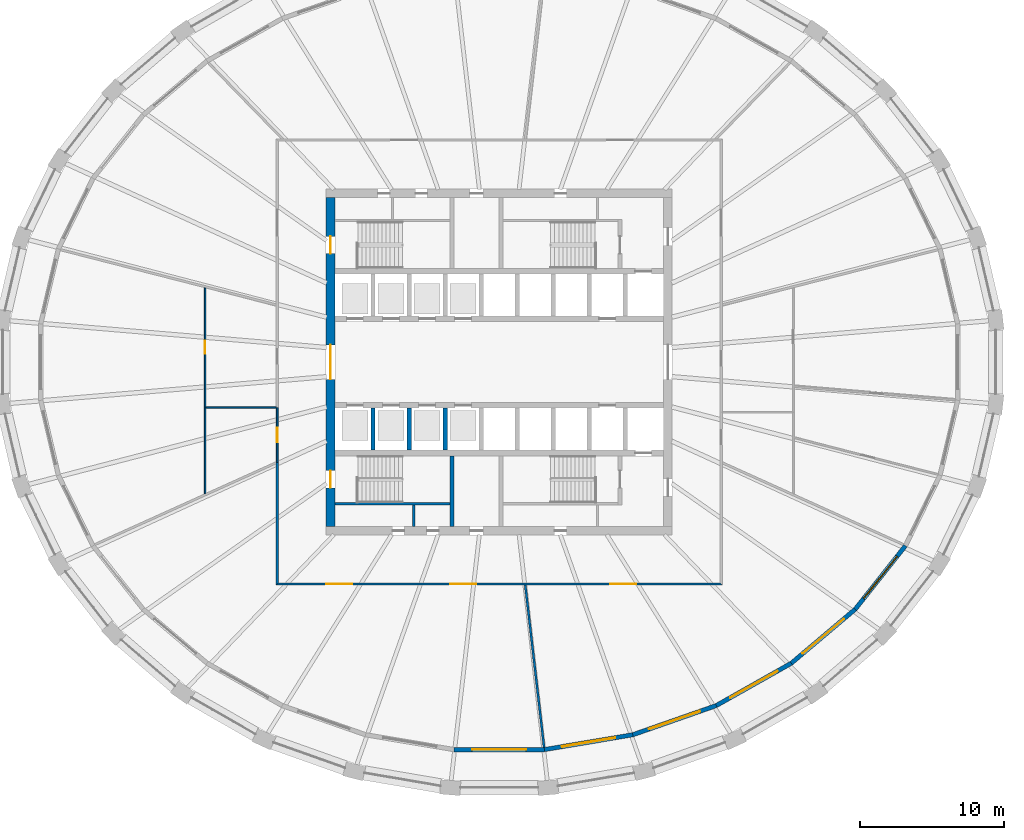
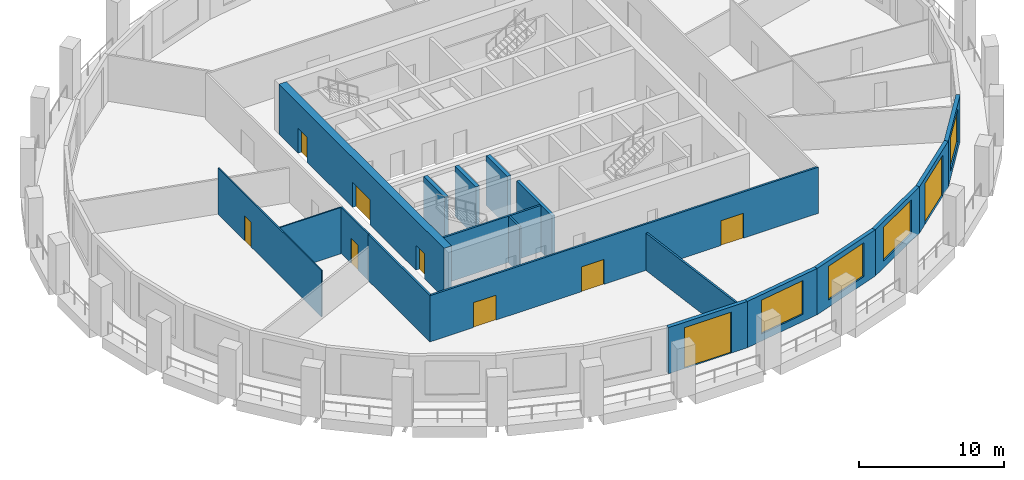
# One storey, part 3 of 10: 19 walls, 10 doors, 4 windows, 14 openings.
"""IFC4 building model written with IfcOpenShell, lengths in metres."""

from ifc_helpers import new_model, si_unit, direction, frame, frame_2d, origin, place, context, subcontext, project, spatial, polyline, rectangle, outline, extrude, material, layer, layer_set, type_object, element, fill, save


model = new_model("IFC4")

# Units and contexts
model_context = context("Model", 3, precision=1e-05, world=origin(), true_north=direction((0.0, 1.0)))
body_context = subcontext(model_context, "Body", "Model", "MODEL_VIEW")
ifc_project = project(units=[si_unit("LENGTHUNIT", "METRE"), si_unit("AREAUNIT", "SQUARE_METRE"), si_unit("VOLUMEUNIT", "CUBIC_METRE"), si_unit("PLANEANGLEUNIT", "RADIAN"), si_unit("MASSUNIT", "GRAM", prefix="KILO")], contexts=[model_context])

# Site, building, storey
site_placement = place(None, origin())
site = spatial("IfcSite", under=ifc_project, at=site_placement, CompositionType="ELEMENT")
building_placement = place(site_placement, origin())
building = spatial("IfcBuilding", under=site, at=building_placement, Name="Halqa Exchange Tower", CompositionType="ELEMENT")
storey_placement = place(building_placement, frame((0.0, 0.0, 129.699951171875)))
storey = spatial("IfcBuildingStorey", under=building, at=storey_placement, Name="L29", CompositionType="ELEMENT", Elevation=129.699951171875)

# Wall
ifc_material_1 = material(Name="Fire-rated gypsum board")
ifc_layer_1 = layer(ifc_material_1, 0.14990234375)
ifc_layer_set_1 = layer_set([ifc_layer_1], Name="Fire-rated gypsum board")
wall_type_1 = type_object("IfcWallType", Name="Fire partition EI 60 150", PredefinedType="PARTITIONING", material=ifc_layer_set_1)
wall_1_placement = place(storey_placement, frame((-15.39990234375, -15.47509765625, 0.0), z_axis=(0.0, 0.0, 1.0), x_axis=(0.0, 1.0, 0.0)))
element("IfcWall", 1, at=wall_1_placement, inside=storey, type_object=wall_type_1, Name="L29-PWL-005", PredefinedType="PARTITIONING", context=body_context, shape_type="SweptSolid", body=[
    extrude(outline(polyline([(8.525146484375, 0.074951171875), (6.820068359375, 0.074951171875), (5.115234375, 0.074951171875), (3.41015625, 0.074951171875), (1.705322265625, 0.074951171875), (0.000244140625, 0.074951171875), (0.150146484375, -0.074951171875), (1.8251953125, -0.074951171875), (3.500244140625, -0.074951171875), (5.175048828125, -0.074951171875), (6.85009765625, -0.074951171875), (8.525146484375, -0.074951171875), (8.525146484375, 0.074951171875)])), origin(), (0.0, 0.0, 1.0), 3.900146484375),
])

# Wall, openings, doors
wall_2_placement = place(storey_placement, frame((-15.47509765625, -15.39990234375, 0.0), z_axis=(0.0, 0.0, 1.0), x_axis=(1.0, 0.0, 0.0)))
wall_2 = element("IfcWall", 2, at=wall_2_placement, inside=storey, type_object=wall_type_1, Name="L29-PWL-006", PredefinedType="PARTITIONING", context=body_context, shape_type="SweptSolid", body=[
    extrude(outline(polyline([(0.000244140625, -0.074951171875), (1.9345703125, -0.074951171875), (3.868896484375, -0.074951171875), (5.80322265625, -0.074951171875), (7.73779296875, -0.074951171875), (9.672119140625, -0.074951171875), (11.6064453125, -0.074951171875), (13.540771484375, -0.074951171875), (15.47509765625, -0.074951171875), (17.409423828125, -0.074951171875), (19.34375, -0.074951171875), (21.278076171875, -0.074951171875), (23.21240234375, -0.074951171875), (25.14697265625, -0.074951171875), (27.081298828125, -0.074951171875), (29.015625, -0.074951171875), (30.949951171875, -0.074951171875), (30.800048828125, 0.074951171875), (28.884521484375, 0.074951171875), (26.96875, 0.074951171875), (25.05322265625, 0.074951171875), (23.1376953125, 0.074951171875), (21.221923828125, 0.074951171875), (19.306396484375, 0.074951171875), (17.390625, 0.074951171875), (15.47509765625, 0.074951171875), (13.5595703125, 0.074951171875), (11.643798828125, 0.074951171875), (9.728271484375, 0.074951171875), (7.8125, 0.074951171875), (5.89697265625, 0.074951171875), (3.9814453125, 0.074951171875), (2.065673828125, 0.074951171875), (0.150146484375, 0.074951171875), (0.000244140625, -0.074951171875)])), origin(), (0.0, 0.0, 1.0), 3.900146484375),
])
opening_1_placement = place(wall_2_placement, frame((3.47509765625, 0.0, 0.0)))
opening_1 = element("IfcOpeningElement", 3, at=opening_1_placement, cuts=wall_2, Name="Opening 09-06", PredefinedType="OPENING", context=body_context, shape_type="SweptSolid", body=[
    extrude(rectangle(XDim=1.800048828125, YDim=2.10009765625, at=frame_2d((0.89990234375, 1.050048828125))), frame((0.0, 0.0869140625, 0.0), z_axis=(0.0, -1.0, 0.0), x_axis=(1.0, 0.0, 0.0)), (0.0, 0.0, 1.0), 0.173828125),
])
opening_2_placement = place(wall_2_placement, frame((12.074951171875, 0.0, 0.0)))
opening_2 = element("IfcOpeningElement", 4, at=opening_2_placement, cuts=wall_2, Name="Opening 09-07", PredefinedType="OPENING", context=body_context, shape_type="SweptSolid", body=[
    extrude(rectangle(XDim=1.800048828125, YDim=2.10009765625, at=frame_2d((0.89990234375, 1.050048828125))), frame((0.0, 0.0869140625, 0.0), z_axis=(0.0, -1.0, 0.0), x_axis=(1.0, 0.0, 0.0)), (0.0, 0.0, 1.0), 0.173828125),
])
opening_3_placement = place(wall_2_placement, frame((23.175048828125, 0.0, 0.0)))
opening_3 = element("IfcOpeningElement", 5, at=opening_3_placement, cuts=wall_2, Name="Opening 09-08", PredefinedType="OPENING", context=body_context, shape_type="SweptSolid", body=[
    extrude(rectangle(XDim=1.800048828125, YDim=2.10009765625, at=frame_2d((0.89990234375, 1.050048828125))), frame((0.0, 0.0869140625, 0.0), z_axis=(0.0, -1.0, 0.0), x_axis=(1.0, 0.0, 0.0)), (0.0, 0.0, 1.0), 0.173828125),
])
ifc_material_2 = material(Name="Steel fire door leaf", Category="steel")
door_type_1 = type_object("IfcDoorType", Name="Fire door FD30S double 1800 x 2100", OperationType="DOUBLE_DOOR_SINGLE_SWING", PredefinedType="DOOR", material=ifc_material_2)
door_1_placement = place(opening_1_placement, frame((1.800048828125, 0.0, 0.0), z_axis=(0.0, 0.0, 1.0), x_axis=(-1.0, 0.0, 0.0)))
door_1 = element("IfcDoor", 6, at=door_1_placement, inside=storey, type_object=door_type_1, Name="L29-IDR-006", OperationType="DOUBLE_DOOR_SINGLE_SWING", OverallHeight=2.10009765625, OverallWidth=1.800048828125, PredefinedType="DOOR", context=body_context, shape_type="SweptSolid", body=[
    extrude(rectangle(XDim=1.800048828125, YDim=2.10009765625, at=frame_2d((0.89990234375, 1.050048828125))), frame((0.0, 0.02490234375, 0.0), z_axis=(0.0, -1.0, 0.0), x_axis=(1.0, 0.0, 0.0)), (0.0, 0.0, 1.0), 0.050048828125),
])
fill(opening_1, door_1)
door_2_placement = place(opening_2_placement, frame((1.800048828125, 0.0, 0.0), z_axis=(0.0, 0.0, 1.0), x_axis=(-1.0, 0.0, 0.0)))
door_2 = element("IfcDoor", 7, at=door_2_placement, inside=storey, type_object=door_type_1, Name="L29-IDR-007", OperationType="DOUBLE_DOOR_SINGLE_SWING", OverallHeight=2.10009765625, OverallWidth=1.800048828125, PredefinedType="DOOR", context=body_context, shape_type="SweptSolid", body=[
    extrude(rectangle(XDim=1.800048828125, YDim=2.10009765625, at=frame_2d((0.89990234375, 1.050048828125))), frame((0.0, 0.02490234375, 0.0), z_axis=(0.0, -1.0, 0.0), x_axis=(1.0, 0.0, 0.0)), (0.0, 0.0, 1.0), 0.050048828125),
])
fill(opening_2, door_2)
door_3_placement = place(opening_3_placement, frame((1.800048828125, 0.0, 0.0), z_axis=(0.0, 0.0, 1.0), x_axis=(-1.0, 0.0, 0.0)))
door_3 = element("IfcDoor", 8, at=door_3_placement, inside=storey, type_object=door_type_1, Name="L29-IDR-008", OperationType="DOUBLE_DOOR_SINGLE_SWING", OverallHeight=2.10009765625, OverallWidth=1.800048828125, PredefinedType="DOOR", context=body_context, shape_type="SweptSolid", body=[
    extrude(rectangle(XDim=1.800048828125, YDim=2.10009765625, at=frame_2d((0.89990234375, 1.050048828125))), frame((0.0, 0.02490234375, 0.0), z_axis=(0.0, -1.0, 0.0), x_axis=(1.0, 0.0, 0.0)), (0.0, 0.0, 1.0), 0.050048828125),
])
fill(opening_3, door_3)

# Wall
wall_3_placement = place(storey_placement, frame((1.8076171875, -15.466552734375, 0.0), z_axis=(0.0, 0.0, 1.0), x_axis=(0.115308163836, -0.993329767677, 0.0)))
element("IfcWall", 9, at=wall_3_placement, inside=storey, type_object=wall_type_1, Name="L29-PWL-011", PredefinedType="PARTITIONING", context=body_context, shape_type="SweptSolid", body=[
    extrude(outline(polyline([(0.0, -0.074951171875), (1.888916015625, -0.074951171875), (3.777587890625, -0.074951171875), (5.66650390625, -0.074951171875), (7.55517578125, -0.074951171875), (9.444091796875, -0.074951171875), (11.332763671875, -0.074951171875), (11.338134765625, -0.029052734375), (11.338134765625, 0.072509765625), (11.337890625, 0.074951171875), (9.451171875, 0.074951171875), (7.564453125, 0.074951171875), (5.677490234375, 0.074951171875), (3.790771484375, 0.074951171875), (1.904052734375, 0.074951171875), (0.01708984375, 0.074951171875), (0.0, -0.0732421875), (0.0, -0.074951171875)])), origin(), (0.0, 0.0, 1.0), 3.14697265625),
])

# Wall, opening, door
ifc_material_3 = material(Name="Fire-rated glazing", Category="glass")
ifc_layer_2 = layer(ifc_material_3, 0.1201171875)
ifc_layer_set_2 = layer_set([ifc_layer_2], Name="Fire-rated glazing")
wall_type_2 = type_object("IfcWallType", Name="Glazed fire partition EI 60 120", PredefinedType="PARTITIONING", material=ifc_layer_set_2)
wall_4_placement = place(storey_placement, frame((-15.39990234375, -6.949951171875, 0.0), z_axis=(0.0, 0.0, 1.0), x_axis=(0.0, 1.0, 0.0)))
wall_4 = element("IfcWall", 10, at=wall_4_placement, inside=storey, type_object=wall_type_2, Name="L29-PWL-007", PredefinedType="PARTITIONING", context=body_context, shape_type="SweptSolid", body=[
    extrude(rectangle(XDim=3.7900390625, YDim=0.1201171875, at=frame_2d((1.89501953125, 0.0))), origin(), (0.0, 0.0, 1.0), 3.900146484375),
])
opening_4_placement = place(wall_4_placement, frame((1.39501953125, 0.0, 0.0)))
opening_4 = element("IfcOpeningElement", 11, at=opening_4_placement, cuts=wall_4, Name="Opening 09-04", PredefinedType="OPENING", context=body_context, shape_type="SweptSolid", body=[
    extrude(rectangle(XDim=1.0, YDim=2.10009765625, at=frame_2d((0.5, 1.050048828125))), frame((0.0, 0.072021484375, 0.0), z_axis=(0.0, -1.0, 0.0), x_axis=(1.0, 0.0, 0.0)), (0.0, 0.0, 1.0), 0.14404296875),
])
door_type_2 = type_object("IfcDoorType", Name="Fire door FD30S 1000 x 2100", OperationType="SINGLE_SWING_LEFT", PredefinedType="DOOR", material=ifc_material_2)
door_4_placement = place(opening_4_placement, origin())
door_4 = element("IfcDoor", 12, at=door_4_placement, inside=storey, type_object=door_type_2, Name="L29-IDR-004", OperationType="SINGLE_SWING_LEFT", OverallHeight=2.10009765625, OverallWidth=1.0, PredefinedType="DOOR", context=body_context, shape_type="SweptSolid", body=[
    extrude(rectangle(XDim=1.0, YDim=2.10009765625, at=frame_2d((0.5, 1.050048828125))), frame((0.0, 0.02490234375, 0.0), z_axis=(0.0, -1.0, 0.0), x_axis=(1.0, 0.0, 0.0)), (0.0, 0.0, 1.0), 0.050048828125),
])
fill(opening_4, door_4)

ifc_material_4 = material(Name="Gypsum board")
ifc_layer_3 = layer(ifc_material_4, 0.10009765625)
ifc_layer_set_3 = layer_set([ifc_layer_3], Name="Gypsum board")
wall_type_3 = type_object("IfcWallType", Name="Partition 100 gypsum", PredefinedType="PARTITIONING", material=ifc_layer_set_3)
wall_5_placement = place(storey_placement, frame((-20.39990234375, -9.1484375, 0.0), z_axis=(0.0, 0.0, 1.0), x_axis=(0.0, 1.0, 0.0)))
wall_5 = element("IfcWall", 13, at=wall_5_placement, inside=storey, type_object=wall_type_3, Name="L29-PWL-003", PredefinedType="PARTITIONING", context=body_context, shape_type="SweptSolid", body=[
    extrude(outline(polyline([(0.044921875, -0.050048828125), (2.009521484375, -0.050048828125), (3.973876953125, -0.050048828125), (5.9384765625, -0.050048828125), (5.9384765625, -0.0498046875), (6.038330078125, -0.0498046875), (6.038330078125, -0.050048828125), (7.68798828125, -0.050048828125), (9.337890625, -0.050048828125), (10.987548828125, -0.050048828125), (12.63720703125, -0.050048828125), (14.286865234375, -0.050048828125), (14.31201171875, 0.048828125), (14.31201171875, 0.050048828125), (12.52294921875, 0.050048828125), (10.73388671875, 0.050048828125), (8.945068359375, 0.050048828125), (7.156005859375, 0.050048828125), (5.366943359375, 0.050048828125), (3.578125, 0.050048828125), (1.7890625, 0.050048828125), (0.0, 0.050048828125), (0.0, 0.049560546875), (0.044921875, -0.050048828125)])), origin(), (0.0, 0.0, 1.0), 3.900146484375),
])
opening_5_placement = place(wall_5_placement, frame((9.7333984375, 0.0, 0.0)))
opening_5 = element("IfcOpeningElement", 14, at=opening_5_placement, cuts=wall_5, Name="Opening 09-12", PredefinedType="OPENING", context=body_context, shape_type="SweptSolid", body=[
    extrude(rectangle(XDim=0.89990234375, YDim=2.10009765625, at=frame_2d((0.449951171875, 1.050048828125))), frame((0.0, 0.06201171875, 0.0), z_axis=(0.0, -1.0, 0.0), x_axis=(1.0, 0.0, 0.0)), (0.0, 0.0, 1.0), 0.1240234375),
])
ifc_material_5 = material(Name="Timber door leaf", Category="wood")
door_type_3 = type_object("IfcDoorType", Name="Door 900 x 2100", OperationType="SINGLE_SWING_LEFT", PredefinedType="DOOR", material=ifc_material_5)
door_5_placement = place(opening_5_placement, frame((0.89990234375, 0.0, 0.0), z_axis=(0.0, 0.0, 1.0), x_axis=(-1.0, 0.0, 0.0)))
door_5 = element("IfcDoor", 15, at=door_5_placement, inside=storey, type_object=door_type_3, Name="L29-IDR-012", OperationType="SINGLE_SWING_RIGHT", OverallHeight=2.10009765625, OverallWidth=0.89990234375, PredefinedType="DOOR", context=body_context, shape_type="SweptSolid", body=[
    extrude(rectangle(XDim=0.89990234375, YDim=2.10009765625, at=frame_2d((0.449951171875, 1.050048828125))), frame((0.0, 0.02490234375, 0.0), z_axis=(0.0, -1.0, 0.0), x_axis=(1.0, 0.0, 0.0)), (0.0, 0.0, 1.0), 0.050048828125),
])
fill(opening_5, door_5)

# Walls
wall_6_placement = place(storey_placement, frame((-20.35009765625, -3.159912109375, 0.0), z_axis=(0.0, 0.0, 1.0), x_axis=(1.0, 0.0, 0.0)))
element("IfcWall", 16, at=wall_6_placement, inside=storey, type_object=wall_type_3, Name="L29-PWL-004", PredefinedType="PARTITIONING", context=body_context, shape_type="SweptSolid", body=[
    extrude(outline(polyline([(4.8896484375, -0.050048828125), (4.8896484375, 0.0), (4.875, 0.0), (4.875, 0.050048828125), (3.25, 0.050048828125), (1.625, 0.050048828125), (0.0, 0.050048828125), (0.0, -0.050048828125), (1.6298828125, -0.050048828125), (3.259765625, -0.050048828125), (4.8896484375, -0.050048828125)])), origin(), (0.0, 0.0, 1.0), 3.900146484375),
])
ifc_layer_4 = layer(ifc_material_4, 0.14990234375)
ifc_layer_set_4 = layer_set([ifc_layer_4], Name="Gypsum board")
wall_type_4 = type_object("IfcWallType", Name="Penthouse riser wall 150 gypsum", PredefinedType="PARTITIONING", material=ifc_layer_set_4)
wall_7_placement = place(storey_placement, frame((-5.925048828125, -11.39990234375, 0.0), z_axis=(0.0, 0.0, 1.0), x_axis=(0.0, 1.0, 0.0)))
element("IfcWall", 17, at=wall_7_placement, inside=storey, type_object=wall_type_4, Name="Partition W5.925 S", PredefinedType="PARTITIONING", context=body_context, shape_type="SweptSolid", body=[
    extrude(rectangle(XDim=1.5, YDim=0.14990234375, at=frame_2d((0.75, 0.0))), origin(), (0.0, 0.0, 1.0), 3.900146484375),
])
ifc_material_6 = material(Name="Concrete C60/75", Category="concrete")
ifc_layer_5 = layer(ifc_material_6, 0.300048828125)
ifc_layer_set_5 = layer_set([ifc_layer_5], Name="Concrete C60/75")
wall_type_5 = type_object("IfcWallType", Name="RC core wall 300", PredefinedType="SHEAR", material=ifc_layer_set_5)
for number, where, z_axis, x_axis, name in (
    (18, (-8.75, -6.10009765625, 0.0), (0.0, 0.0, 1.0), (0.0, 1.0, 0.0), "Shaft divider S1"),
    (19, (-6.25, -6.10009765625, 0.0), (0.0, 0.0, 1.0), (0.0, 1.0, 0.0), "Shaft divider S2"),
    (20, (-3.75, -6.10009765625, 0.0), (0.0, 0.0, 1.0), (0.0, 1.0, 0.0), "Shaft divider S3"),
):
    element("IfcWall", number, at=place(storey_placement, frame(where, z_axis=z_axis, x_axis=x_axis)), inside=storey, type_object=wall_type_5, Name=name, PredefinedType="SHEAR", context=body_context, shape_type="SweptSolid", body=[
        extrude(rectangle(XDim=2.900146484375, YDim=0.300048828125, at=frame_2d((1.4501953125, 0.0))), origin(), (0.0, 0.0, 1.0), 4.199951171875),
    ])

# Wall, openings, doors
ifc_material_7 = material(Name="Concrete C70/85", Category="concrete")
ifc_layer_6 = layer(ifc_material_7, 0.60009765625)
ifc_layer_set_6 = layer_set([ifc_layer_6], Name="Concrete C70/85")
wall_type_6 = type_object("IfcWallType", Name="RC core wall 600 C70/85", PredefinedType="SHEAR", material=ifc_layer_set_6)
wall_8_placement = place(storey_placement, frame((-11.699951171875, -11.39990234375, 0.0), z_axis=(0.0, 0.0, 1.0), x_axis=(0.0, 1.0, 0.0)))
wall_8 = element("IfcWall", 21, at=wall_8_placement, inside=storey, type_object=wall_type_6, Name="Core wall west", PredefinedType="SHEAR", context=body_context, shape_type="SweptSolid", body=[
    extrude(rectangle(XDim=22.7998046875, YDim=0.60009765625, at=frame_2d((11.39990234375, 0.0))), origin(), (0.0, 0.0, 1.0), 4.199951171875),
])
opening_6_placement = place(wall_8_placement, frame((10.199951171875, 0.0, 0.0)))
opening_6 = element("IfcOpeningElement", 22, at=opening_6_placement, cuts=wall_8, Name="Opening T09-C13", PredefinedType="OPENING", context=body_context, shape_type="SweptSolid", body=[
    extrude(rectangle(XDim=2.39990234375, YDim=2.10009765625, at=frame_2d((1.199951171875, 1.050048828125))), frame((0.0, 0.31201171875, 0.0), z_axis=(0.0, -1.0, 0.0), x_axis=(1.0, 0.0, 0.0)), (0.0, 0.0, 1.0), 0.6240234375),
])
opening_7_placement = place(wall_8_placement, frame((18.925048828125, 0.0, 0.0)))
opening_7 = element("IfcOpeningElement", 23, at=opening_7_placement, cuts=wall_8, Name="Opening T09-C15", PredefinedType="OPENING", context=body_context, shape_type="SweptSolid", body=[
    extrude(rectangle(XDim=1.199951171875, YDim=2.10009765625, at=frame_2d((0.60009765625, 1.050048828125))), frame((0.0, 0.31201171875, 0.0), z_axis=(0.0, -1.0, 0.0), x_axis=(1.0, 0.0, 0.0)), (0.0, 0.0, 1.0), 0.6240234375),
])
opening_8_placement = place(wall_8_placement, frame((2.675048828125, 0.0, 0.0)))
opening_8 = element("IfcOpeningElement", 24, at=opening_8_placement, cuts=wall_8, Name="Opening T09-C17", PredefinedType="OPENING", context=body_context, shape_type="SweptSolid", body=[
    extrude(rectangle(XDim=1.199951171875, YDim=2.10009765625, at=frame_2d((0.60009765625, 1.050048828125))), frame((0.0, 0.31201171875, 0.0), z_axis=(0.0, -1.0, 0.0), x_axis=(1.0, 0.0, 0.0)), (0.0, 0.0, 1.0), 0.6240234375),
])
door_type_4 = type_object("IfcDoorType", Name="Lobby double door FD60 2400 x 2100", OperationType="DOUBLE_DOOR_SINGLE_SWING", PredefinedType="DOOR", material=ifc_material_2)
door_6_placement = place(opening_6_placement, frame((2.39990234375, 0.0, 0.0), z_axis=(0.0, 0.0, 1.0), x_axis=(-1.0, 0.0, 0.0)))
door_6 = element("IfcDoor", 25, at=door_6_placement, inside=storey, type_object=door_type_4, Name="Lift lobby double door", OperationType="DOUBLE_DOOR_SINGLE_SWING", OverallHeight=2.10009765625, OverallWidth=2.39990234375, PredefinedType="DOOR", context=body_context, shape_type="SweptSolid", body=[
    extrude(rectangle(XDim=2.39990234375, YDim=2.10009765625, at=frame_2d((1.199951171875, 1.050048828125))), frame((0.0, 0.02490234375, 0.0), z_axis=(0.0, -1.0, 0.0), x_axis=(1.0, 0.0, 0.0)), (0.0, 0.0, 1.0), 0.050048828125),
])
fill(opening_6, door_6)
door_type_5 = type_object("IfcDoorType", Name="Stair door FD90 1200 x 2100", OperationType="SINGLE_SWING_LEFT", PredefinedType="DOOR", material=ifc_material_2)
door_7_placement = place(opening_7_placement, frame((1.199951171875, 0.0, 0.0), z_axis=(0.0, 0.0, 1.0), x_axis=(-1.0, 0.0, 0.0)))
door_7 = element("IfcDoor", 26, at=door_7_placement, inside=storey, type_object=door_type_5, Name="Stair door ST1", OperationType="SINGLE_SWING_RIGHT", OverallHeight=2.10009765625, OverallWidth=1.199951171875, PredefinedType="DOOR", context=body_context, shape_type="SweptSolid", body=[
    extrude(rectangle(XDim=1.199951171875, YDim=2.10009765625, at=frame_2d((0.60009765625, 1.050048828125))), frame((0.0, 0.02490234375, 0.0), z_axis=(0.0, -1.0, 0.0), x_axis=(1.0, 0.0, 0.0)), (0.0, 0.0, 1.0), 0.050048828125),
])
fill(opening_7, door_7)
door_8_placement = place(opening_8_placement, frame((1.199951171875, 0.0, 0.0), z_axis=(0.0, 0.0, 1.0), x_axis=(-1.0, 0.0, 0.0)))
door_8 = element("IfcDoor", 27, at=door_8_placement, inside=storey, type_object=door_type_5, Name="Stair door ST3", OperationType="SINGLE_SWING_RIGHT", OverallHeight=2.10009765625, OverallWidth=1.199951171875, PredefinedType="DOOR", context=body_context, shape_type="SweptSolid", body=[
    extrude(rectangle(XDim=1.199951171875, YDim=2.10009765625, at=frame_2d((0.60009765625, 1.050048828125))), frame((0.0, 0.02490234375, 0.0), z_axis=(0.0, -1.0, 0.0), x_axis=(1.0, 0.0, 0.0)), (0.0, 0.0, 1.0), 0.050048828125),
])
fill(opening_8, door_8)

# Walls
ifc_material_8 = material(Name="Concrete C30/37", Category="concrete")
ifc_layer_7 = layer(ifc_material_8, 0.14990234375)
ifc_layer_set_7 = layer_set([ifc_layer_7], Name="Concrete C30/37")
wall_type_7 = type_object("IfcWallType", Name="RC stair wall 150 C30/37", PredefinedType="SHEAR", material=ifc_layer_set_7)
wall_9_placement = place(storey_placement, frame((-11.39990234375, -9.824951171875, 0.0), z_axis=(0.0, 0.0, 1.0), x_axis=(1.0, 0.0, 0.0)))
element("IfcWall", 28, at=wall_9_placement, inside=storey, type_object=wall_type_7, Name="Stair ST1 north wall S", PredefinedType="SHEAR", context=body_context, shape_type="SweptSolid", body=[
    extrude(rectangle(XDim=8.0, YDim=0.14990234375, at=frame_2d((4.0, 0.0))), origin(), (0.0, 0.0, 1.0), 3.900146484375),
])
ifc_layer_8 = layer(ifc_material_8, 0.25)
ifc_layer_set_8 = layer_set([ifc_layer_8], Name="Concrete C30/37")
wall_type_8 = type_object("IfcWallType", Name="RC stair wall 250 C30/37", PredefinedType="SHEAR", material=ifc_layer_set_8)
wall_10_placement = place(storey_placement, frame((-3.27490234375, -11.39990234375, 0.0), z_axis=(0.0, 0.0, 1.0), x_axis=(0.0, 1.0, 0.0)))
element("IfcWall", 29, at=wall_10_placement, inside=storey, type_object=wall_type_8, Name="Stair ST1 east wall S", PredefinedType="SHEAR", context=body_context, shape_type="SweptSolid", body=[
    extrude(rectangle(XDim=4.89990234375, YDim=0.25, at=frame_2d((2.449951171875, 0.0))), origin(), (0.0, 0.0, 1.0), 3.900146484375),
])

# Wall, opening, door
ifc_material_9 = material(Name="Limestone cladding", Category="masonry")
ifc_layer_9 = layer(ifc_material_9, 0.0400390625)
ifc_material_10 = material(Name="Ventilated cavity")
ifc_layer_10 = layer(ifc_material_10, 0.030029296875, ventilated=True)
ifc_material_11 = material(Name="Mineral wool insulation")
ifc_layer_11 = layer(ifc_material_11, 0.10009765625)
ifc_layer_12 = layer(ifc_material_8, 0.10009765625)
ifc_material_12 = material(Name="Internal plaster")
ifc_layer_13 = layer(ifc_material_12, 0.030029296875)
ifc_layer_set_9 = layer_set([ifc_layer_9, ifc_layer_10, ifc_layer_11, ifc_layer_12, ifc_layer_13], Name="Stone-faced insulated wall 300")
wall_type_9 = type_object("IfcWallType", Name="Stone-faced insulated wall 300", PredefinedType="STANDARD", material=ifc_layer_set_9)
wall_11_placement = place(storey_placement, frame((-3.1298828125, -26.88232421875, 0.0), z_axis=(0.0, 0.0, 1.0), x_axis=(1.0, 0.0, 0.0)))
wall_11 = element("IfcWall", 30, at=wall_11_placement, inside=storey, type_object=wall_type_9, Name="Glass-line wall 24", PredefinedType="STANDARD", context=body_context, shape_type="SweptSolid", body=[
    extrude(outline(polyline([(-0.012451171875, -0.14990234375), (6.272216796875, -0.14990234375), (6.247314453125, 0.14990234375), (0.012451171875, 0.14990234375), (-0.012451171875, -0.14990234375)])), origin(), (0.0, 0.0, 1.0), 3.900146484375),
])
opening_9_placement = place(wall_11_placement, frame((1.2548828125, 0.0, 0.0)))
opening_9 = element("IfcOpeningElement", 31, at=opening_9_placement, cuts=wall_11, Name="Opening LG-F2-06", PredefinedType="OPENING", context=body_context, shape_type="SweptSolid", body=[
    extrude(rectangle(XDim=3.75, YDim=3.449951171875, at=frame_2d((1.875, 1.72509765625))), frame((0.0, 0.162109375, 0.0), z_axis=(0.0, -1.0, 0.0), x_axis=(1.0, 0.0, 0.0)), (0.0, 0.0, 1.0), 0.323974609375),
])
ifc_material_13 = material(Name="Clear low-emissivity glass in aluminium frame", Category="aluminium")
door_type_6 = type_object("IfcDoorType", Name="Glazed sliding loggia door 3750 x 3450", OperationType="DOUBLE_DOOR_SLIDING", PredefinedType="DOOR", material=ifc_material_13)
door_9_placement = place(opening_9_placement, origin())
door_9 = element("IfcDoor", 32, at=door_9_placement, inside=storey, type_object=door_type_6, Name="Loggia door 6", OperationType="DOUBLE_DOOR_SLIDING", OverallHeight=3.449951171875, OverallWidth=3.75, PredefinedType="DOOR", context=body_context, shape_type="SweptSolid", body=[
    extrude(rectangle(XDim=3.75, YDim=3.449951171875, at=frame_2d((1.875, 1.72509765625))), frame((0.0, 0.02490234375, 0.0), z_axis=(0.0, -1.0, 0.0), x_axis=(1.0, 0.0, 0.0)), (0.0, 0.0, 1.0), 0.050048828125),
])
fill(opening_9, door_9)

# Wall, opening, window
wall_12_placement = place(storey_placement, frame((3.1298828125, -26.88232421875, 0.0), z_axis=(0.0, 0.0, 1.0), x_axis=(0.9861811474, 0.165670590368, 0.0)))
wall_12 = element("IfcWall", 33, at=wall_12_placement, inside=storey, type_object=wall_type_9, Name="Glass-line wall 25", PredefinedType="STANDARD", context=body_context, shape_type="SweptSolid", body=[
    extrude(outline(polyline([(-0.012451171875, -0.14990234375), (6.23876953125, -0.14990234375), (6.21337890625, 0.14990234375), (0.012451171875, 0.14990234375), (-0.012451171875, -0.14990234375)])), origin(), (0.0, 0.0, 1.0), 3.900146484375),
])
opening_10_placement = place(wall_12_placement, frame((1.238037109375, 0.0, 0.60009765625)))
opening_10 = element("IfcOpeningElement", 34, at=opening_10_placement, cuts=wall_12, Name="Opening W-F2-25", PredefinedType="OPENING", context=body_context, shape_type="SweptSolid", body=[
    extrude(rectangle(XDim=3.75, YDim=2.85009765625, at=frame_2d((1.875, 1.425048828125))), frame((0.0, 0.162109375, 0.0), z_axis=(0.0, -1.0, 0.0), x_axis=(1.0, 0.0, 0.0)), (0.0, 0.0, 1.0), 0.323974609375),
])
window_type = type_object("IfcWindowType", Name="Fixed clear glazed window 3750 x 2850", PartitioningType="TRIPLE_PANEL_VERTICAL", PredefinedType="WINDOW", material=ifc_material_13)
window_1_placement = place(opening_10_placement, origin())
window_1 = element("IfcWindow", 35, at=window_1_placement, inside=storey, type_object=window_type, Name="Window 2", OverallHeight=2.85009765625, OverallWidth=3.75, PartitioningType="TRIPLE_PANEL_VERTICAL", PredefinedType="WINDOW", context=body_context, shape_type="SweptSolid", body=[
    extrude(rectangle(XDim=3.75, YDim=2.85009765625, at=frame_2d((1.875, 1.425048828125))), frame((0.0, 0.030029296875, 0.0), z_axis=(0.0, -1.0, 0.0), x_axis=(1.0, 0.0, 0.0)), (0.0, 0.0, 1.0), 0.06005859375),
])
fill(opening_10, window_1)

wall_13_placement = place(storey_placement, frame((9.27001953125, -25.850830078125, 0.0), z_axis=(0.0, 0.0, 1.0), x_axis=(0.943911133508, 0.330199594245, 0.0)))
wall_13 = element("IfcWall", 36, at=wall_13_placement, inside=storey, type_object=wall_type_9, Name="Glass-line wall 26", PredefinedType="STANDARD", context=body_context, shape_type="SweptSolid", body=[
    extrude(outline(polyline([(-0.0126953125, -0.14990234375), (6.14208984375, -0.14990234375), (6.115234375, 0.14990234375), (0.0126953125, 0.14990234375), (-0.0126953125, -0.14990234375)])), origin(), (0.0, 0.0, 1.0), 3.900146484375),
])
opening_11_placement = place(wall_13_placement, frame((1.189208984375, 0.0, 0.60009765625)))
opening_11 = element("IfcOpeningElement", 37, at=opening_11_placement, cuts=wall_13, Name="Opening W-F2-26", PredefinedType="OPENING", context=body_context, shape_type="SweptSolid", body=[
    extrude(rectangle(XDim=3.75, YDim=2.85009765625, at=frame_2d((1.875, 1.425048828125))), frame((0.0, 0.162109375, 0.0), z_axis=(0.0, -1.0, 0.0), x_axis=(1.0, 0.0, 0.0)), (0.0, 0.0, 1.0), 0.323974609375),
])
window_2_placement = place(opening_11_placement, origin())
window_2 = element("IfcWindow", 38, at=window_2_placement, inside=storey, type_object=window_type, Name="Window 2", OverallHeight=2.85009765625, OverallWidth=3.75, PartitioningType="TRIPLE_PANEL_VERTICAL", PredefinedType="WINDOW", context=body_context, shape_type="SweptSolid", body=[
    extrude(rectangle(XDim=3.75, YDim=2.85009765625, at=frame_2d((1.875, 1.425048828125))), frame((0.0, 0.030029296875, 0.0), z_axis=(0.0, -1.0, 0.0), x_axis=(1.0, 0.0, 0.0)), (0.0, 0.0, 1.0), 0.06005859375),
])
fill(opening_11, window_2)

wall_14_placement = place(storey_placement, frame((15.054931640625, -23.8271484375, 0.0), z_axis=(0.0, 0.0, 1.0), x_axis=(0.87090857883, 0.491445060327, 0.0)))
wall_14 = element("IfcWall", 39, at=wall_14_placement, inside=storey, type_object=wall_type_9, Name="Glass-line wall 27", PredefinedType="STANDARD", context=body_context, shape_type="SweptSolid", body=[
    extrude(outline(polyline([(-0.013427734375, -0.14990234375), (5.994384765625, -0.14990234375), (5.966064453125, 0.14990234375), (0.013427734375, 0.14990234375), (-0.013427734375, -0.14990234375)])), origin(), (0.0, 0.0, 1.0), 3.900146484375),
])
opening_12_placement = place(wall_14_placement, frame((1.114990234375, 0.0, 0.60009765625)))
opening_12 = element("IfcOpeningElement", 40, at=opening_12_placement, cuts=wall_14, Name="Opening W-F2-27", PredefinedType="OPENING", context=body_context, shape_type="SweptSolid", body=[
    extrude(rectangle(XDim=3.75, YDim=2.85009765625, at=frame_2d((1.875, 1.425048828125))), frame((0.0, 0.162109375, 0.0), z_axis=(0.0, -1.0, 0.0), x_axis=(1.0, 0.0, 0.0)), (0.0, 0.0, 1.0), 0.323974609375),
])
window_3_placement = place(opening_12_placement, origin())
window_3 = element("IfcWindow", 41, at=window_3_placement, inside=storey, type_object=window_type, Name="Window 2", OverallHeight=2.85009765625, OverallWidth=3.75, PartitioningType="TRIPLE_PANEL_VERTICAL", PredefinedType="WINDOW", context=body_context, shape_type="SweptSolid", body=[
    extrude(rectangle(XDim=3.75, YDim=2.85009765625, at=frame_2d((1.875, 1.425048828125))), frame((0.0, 0.030029296875, 0.0), z_axis=(0.0, -1.0, 0.0), x_axis=(1.0, 0.0, 0.0)), (0.0, 0.0, 1.0), 0.06005859375),
])
fill(opening_12, window_3)

# Wall, opening, door
wall_15_placement = place(storey_placement, frame((20.26318359375, -20.88818359375, 0.0), z_axis=(0.0, 0.0, 1.0), x_axis=(0.763963973896, 0.645258898884, 0.0)))
wall_15 = element("IfcWall", 42, at=wall_15_placement, inside=storey, type_object=wall_type_9, Name="Glass-line wall 28", PredefinedType="STANDARD", context=body_context, shape_type="SweptSolid", body=[
    extrude(outline(polyline([(-0.01416015625, -0.14990234375), (5.81494140625, -0.14990234375), (5.78466796875, 0.14990234375), (0.01416015625, 0.14990234375), (-0.01416015625, -0.14990234375)])), origin(), (0.0, 0.0, 1.0), 3.900146484375),
])
opening_13_placement = place(wall_15_placement, frame((1.02490234375, 0.0, 0.0)))
opening_13 = element("IfcOpeningElement", 43, at=opening_13_placement, cuts=wall_15, Name="Opening LG-F2-07", PredefinedType="OPENING", context=body_context, shape_type="SweptSolid", body=[
    extrude(rectangle(XDim=3.75, YDim=3.449951171875, at=frame_2d((1.875, 1.72509765625))), frame((0.0, 0.162109375, 0.0), z_axis=(0.0, -1.0, 0.0), x_axis=(1.0, 0.0, 0.0)), (0.0, 0.0, 1.0), 0.323974609375),
])
door_10_placement = place(opening_13_placement, origin())
door_10 = element("IfcDoor", 44, at=door_10_placement, inside=storey, type_object=door_type_6, Name="Loggia door 7", OperationType="DOUBLE_DOOR_SLIDING", OverallHeight=3.449951171875, OverallWidth=3.75, PredefinedType="DOOR", context=body_context, shape_type="SweptSolid", body=[
    extrude(rectangle(XDim=3.75, YDim=3.449951171875, at=frame_2d((1.875, 1.72509765625))), frame((0.0, 0.02490234375, 0.0), z_axis=(0.0, -1.0, 0.0), x_axis=(1.0, 0.0, 0.0)), (0.0, 0.0, 1.0), 0.050048828125),
])
fill(opening_13, door_10)

# Wall, opening, window
wall_16_placement = place(storey_placement, frame((24.694091796875, -17.145751953125, 0.0), z_axis=(0.0, 0.0, 1.0), x_axis=(0.620464552431, 0.784234492468, 0.0)))
wall_16 = element("IfcWall", 45, at=wall_16_placement, inside=storey, type_object=wall_type_9, Name="Glass-line wall 29", PredefinedType="STANDARD", context=body_context, shape_type="SweptSolid", body=[
    extrude(outline(polyline([(-0.01513671875, -0.14990234375), (5.63037109375, -0.14990234375), (5.59814453125, 0.14990234375), (0.01513671875, 0.14990234375), (-0.01513671875, -0.14990234375)])), origin(), (0.0, 0.0, 1.0), 3.900146484375),
])
opening_14_placement = place(wall_16_placement, frame((0.931884765625, 0.0, 0.60009765625)))
opening_14 = element("IfcOpeningElement", 46, at=opening_14_placement, cuts=wall_16, Name="Opening W-F2-29", PredefinedType="OPENING", context=body_context, shape_type="SweptSolid", body=[
    extrude(rectangle(XDim=3.75, YDim=2.85009765625, at=frame_2d((1.875, 1.425048828125))), frame((0.0, 0.162109375, 0.0), z_axis=(0.0, -1.0, 0.0), x_axis=(1.0, 0.0, 0.0)), (0.0, 0.0, 1.0), 0.323974609375),
])
window_4_placement = place(opening_14_placement, origin())
window_4 = element("IfcWindow", 47, at=window_4_placement, inside=storey, type_object=window_type, Name="Window 2", OverallHeight=2.85009765625, OverallWidth=3.75, PartitioningType="TRIPLE_PANEL_VERTICAL", PredefinedType="WINDOW", context=body_context, shape_type="SweptSolid", body=[
    extrude(rectangle(XDim=3.75, YDim=2.85009765625, at=frame_2d((1.875, 1.425048828125))), frame((0.0, 0.030029296875, 0.0), z_axis=(0.0, -1.0, 0.0), x_axis=(1.0, 0.0, 0.0)), (0.0, 0.0, 1.0), 0.06005859375),
])
fill(opening_14, window_4)

save(model, "model.ifc")
